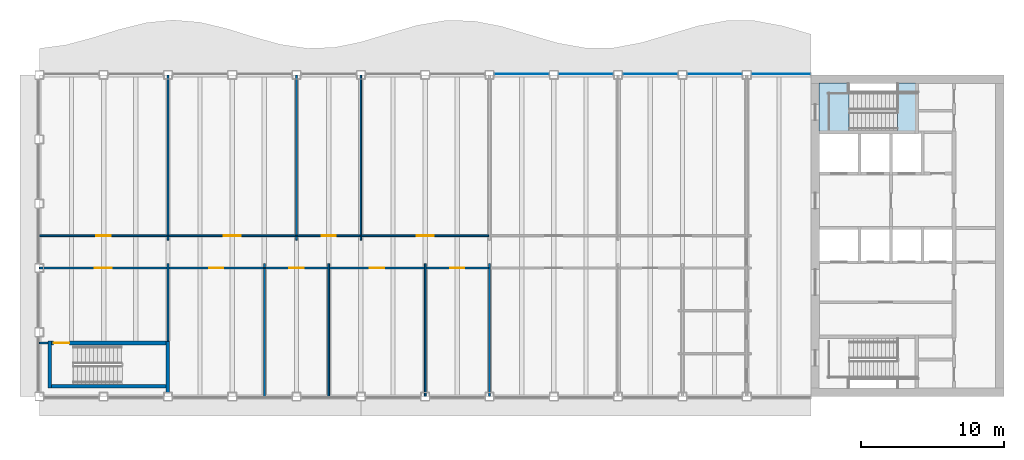
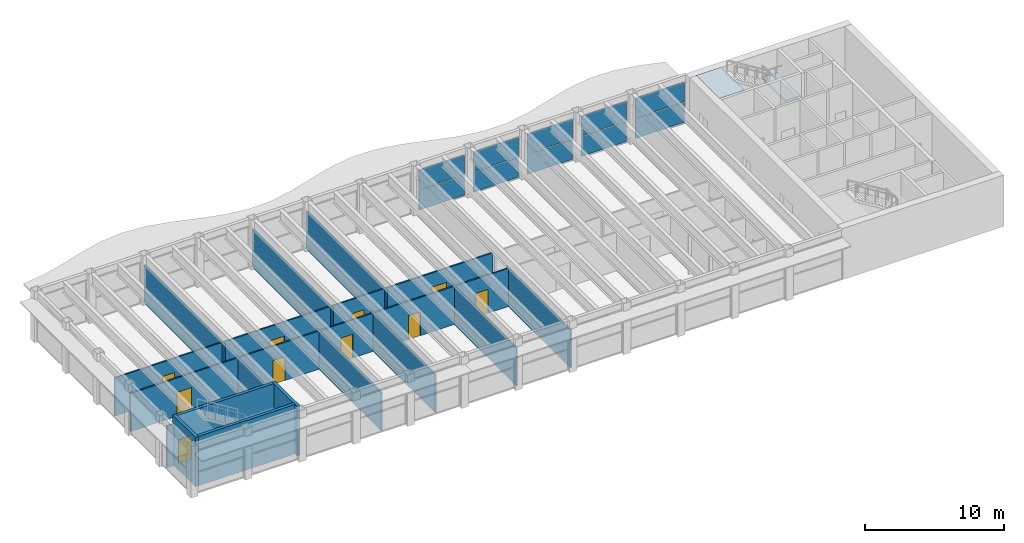
# One storey, part 8 of 14: 22 walls, 10 doors, 10 plates, 2 slabs, 10 openings, 6 elements without a shape of their own.
"""IFC4 building model written with IfcOpenShell, lengths in metres."""

from ifc_helpers import new_model, si_unit, direction, frame, frame_2d, origin, origin_2d, place, context, subcontext, project, spatial, polyline, rectangle, outline, extrude, material, layer, layer_set, type_object, element, fill, aggregate, save


model = new_model("IFC4")

# Units and contexts
model_context = context("Model", 3, precision=1e-05, world=origin(), true_north=direction((0.0, 1.0)))
body_context = subcontext(model_context, "Body", "Model", "MODEL_VIEW")
ifc_project = project(units=[si_unit("LENGTHUNIT", "METRE"), si_unit("AREAUNIT", "SQUARE_METRE"), si_unit("VOLUMEUNIT", "CUBIC_METRE"), si_unit("PLANEANGLEUNIT", "RADIAN"), si_unit("MASSUNIT", "GRAM", prefix="KILO")], contexts=[model_context])

# Site, building, storey
site_placement = place(None, origin())
site = spatial("IfcSite", under=ifc_project, at=site_placement, CompositionType="ELEMENT")
building_placement = place(site_placement, origin())
building = spatial("IfcBuilding", under=site, at=building_placement, Name="Sennacour Bend Tower", CompositionType="ELEMENT")
storey_placement = place(building_placement, frame((0.0, 0.0, 327.5)))
storey = spatial("IfcBuildingStorey", under=building, at=storey_placement, Name="L75", CompositionType="ELEMENT", Elevation=327.5)

# Curtain wall, plates
ifc_material_1 = material(Name="Bronze anodised aluminium curtain wall with clear glass", Category="aluminium")
curtain_wall_type = type_object("IfcCurtainWallType", Name="CURTAIN WALL EXEC", PredefinedType="NOTDEFINED", material=ifc_material_1)
curtain_wall_1_placement = place(storey_placement, origin())
curtain_wall_1 = element("IfcCurtainWall", 1, at=curtain_wall_1_placement, inside=storey, type_object=curtain_wall_type, Name="Executive floor glass wall L75", PredefinedType="NOTDEFINED")
ifc_material_2 = material(Name="Clear low-emissivity glass", Category="glass")
ifc_layer_1 = layer(ifc_material_2, 0.031982421875, Name="Clear low-emissivity glass", Category="glass")
ifc_layer_set_1 = layer_set([ifc_layer_1], Name="Clear low-emissivity glass")
plate_type = type_object("IfcPlateType", Name="PNL-GLASS-IGU32", PredefinedType="CURTAIN_PANEL", material=ifc_layer_set_1)
plate_1_placement = place(storey_placement, frame((51.89990234375, 22.574951171875, 0.06005859375), z_axis=(0.0, 0.0, 1.0), x_axis=(-1.0, 0.0, 0.0)))
plate_1 = element("IfcPlate", 2, at=plate_1_placement, type_object=plate_type, Name="GW3 curtain wall panel 1.1", PredefinedType="CURTAIN_PANEL", context=body_context, shape_type="SweptSolid", body=[
    extrude(rectangle(XDim=4.080078125, YDim=0.031982421875, at=origin_2d()), origin(), (0.0, 0.0, 1.0), 1.74609375),
])
plate_2_placement = place(storey_placement, frame((51.89990234375, 22.574951171875, 1.865966796875), z_axis=(0.0, 0.0, 1.0), x_axis=(-1.0, 0.0, 0.0)))
plate_2 = element("IfcPlate", 3, at=plate_2_placement, type_object=plate_type, Name="GW3 curtain wall panel 1.2", PredefinedType="CURTAIN_PANEL", context=body_context, shape_type="SweptSolid", body=[
    extrude(rectangle(XDim=4.080078125, YDim=0.031982421875, at=origin_2d()), origin(), (0.0, 0.0, 1.0), 1.74609375),
])
aggregate(curtain_wall_1, [plate_1, plate_2])

curtain_wall_2_placement = place(storey_placement, origin())
curtain_wall_2 = element("IfcCurtainWall", 4, at=curtain_wall_2_placement, inside=storey, type_object=curtain_wall_type, Name="Executive floor glass wall L75", PredefinedType="NOTDEFINED")
plate_3_placement = place(storey_placement, frame((47.25, 22.574951171875, 0.06005859375), z_axis=(0.0, 0.0, 1.0), x_axis=(-1.0, 0.0, 0.0)))
plate_3 = element("IfcPlate", 5, at=plate_3_placement, type_object=plate_type, Name="GW3 curtain wall panel 1.1", PredefinedType="CURTAIN_PANEL", context=body_context, shape_type="SweptSolid", body=[
    extrude(rectangle(XDim=3.780029296875, YDim=0.031982421875, at=origin_2d()), origin(), (0.0, 0.0, 1.0), 1.74609375),
])
plate_4_placement = place(storey_placement, frame((47.25, 22.574951171875, 1.865966796875), z_axis=(0.0, 0.0, 1.0), x_axis=(-1.0, 0.0, 0.0)))
plate_4 = element("IfcPlate", 6, at=plate_4_placement, type_object=plate_type, Name="GW3 curtain wall panel 1.2", PredefinedType="CURTAIN_PANEL", context=body_context, shape_type="SweptSolid", body=[
    extrude(rectangle(XDim=3.780029296875, YDim=0.031982421875, at=origin_2d()), origin(), (0.0, 0.0, 1.0), 1.74609375),
])
aggregate(curtain_wall_2, [plate_3, plate_4])

curtain_wall_3_placement = place(storey_placement, origin())
curtain_wall_3 = element("IfcCurtainWall", 7, at=curtain_wall_3_placement, inside=storey, type_object=curtain_wall_type, Name="Executive floor glass wall L75", PredefinedType="NOTDEFINED")
plate_5_placement = place(storey_placement, frame((42.75, 22.574951171875, 0.06005859375), z_axis=(0.0, 0.0, 1.0), x_axis=(-1.0, 0.0, 0.0)))
plate_5 = element("IfcPlate", 8, at=plate_5_placement, type_object=plate_type, Name="GW3 curtain wall panel 1.1", PredefinedType="CURTAIN_PANEL", context=body_context, shape_type="SweptSolid", body=[
    extrude(rectangle(XDim=3.780029296875, YDim=0.031982421875, at=origin_2d()), origin(), (0.0, 0.0, 1.0), 1.74609375),
])
plate_6_placement = place(storey_placement, frame((42.75, 22.574951171875, 1.865966796875), z_axis=(0.0, 0.0, 1.0), x_axis=(-1.0, 0.0, 0.0)))
plate_6 = element("IfcPlate", 9, at=plate_6_placement, type_object=plate_type, Name="GW3 curtain wall panel 1.2", PredefinedType="CURTAIN_PANEL", context=body_context, shape_type="SweptSolid", body=[
    extrude(rectangle(XDim=3.780029296875, YDim=0.031982421875, at=origin_2d()), origin(), (0.0, 0.0, 1.0), 1.74609375),
])
aggregate(curtain_wall_3, [plate_5, plate_6])

curtain_wall_4_placement = place(storey_placement, origin())
curtain_wall_4 = element("IfcCurtainWall", 10, at=curtain_wall_4_placement, inside=storey, type_object=curtain_wall_type, Name="Executive floor glass wall L75", PredefinedType="NOTDEFINED")
plate_7_placement = place(storey_placement, frame((38.25, 22.574951171875, 0.06005859375), z_axis=(0.0, 0.0, 1.0), x_axis=(-1.0, 0.0, 0.0)))
plate_7 = element("IfcPlate", 11, at=plate_7_placement, type_object=plate_type, Name="GW3 curtain wall panel 1.1", PredefinedType="CURTAIN_PANEL", context=body_context, shape_type="SweptSolid", body=[
    extrude(rectangle(XDim=3.780029296875, YDim=0.031982421875, at=origin_2d()), origin(), (0.0, 0.0, 1.0), 1.74609375),
])
plate_8_placement = place(storey_placement, frame((38.25, 22.574951171875, 1.865966796875), z_axis=(0.0, 0.0, 1.0), x_axis=(-1.0, 0.0, 0.0)))
plate_8 = element("IfcPlate", 12, at=plate_8_placement, type_object=plate_type, Name="GW3 curtain wall panel 1.2", PredefinedType="CURTAIN_PANEL", context=body_context, shape_type="SweptSolid", body=[
    extrude(rectangle(XDim=3.780029296875, YDim=0.031982421875, at=origin_2d()), origin(), (0.0, 0.0, 1.0), 1.74609375),
])
aggregate(curtain_wall_4, [plate_7, plate_8])

curtain_wall_5_placement = place(storey_placement, origin())
curtain_wall_5 = element("IfcCurtainWall", 13, at=curtain_wall_5_placement, inside=storey, type_object=curtain_wall_type, Name="Executive floor glass wall L75", PredefinedType="NOTDEFINED")
plate_9_placement = place(storey_placement, frame((33.75, 22.574951171875, 0.06005859375), z_axis=(0.0, 0.0, 1.0), x_axis=(-1.0, 0.0, 0.0)))
plate_9 = element("IfcPlate", 14, at=plate_9_placement, type_object=plate_type, Name="GW3 curtain wall panel 1.1", PredefinedType="CURTAIN_PANEL", context=body_context, shape_type="SweptSolid", body=[
    extrude(rectangle(XDim=3.780029296875, YDim=0.031982421875, at=origin_2d()), origin(), (0.0, 0.0, 1.0), 1.74609375),
])
plate_10_placement = place(storey_placement, frame((33.75, 22.574951171875, 1.865966796875), z_axis=(0.0, 0.0, 1.0), x_axis=(-1.0, 0.0, 0.0)))
plate_10 = element("IfcPlate", 15, at=plate_10_placement, type_object=plate_type, Name="GW3 curtain wall panel 1.2", PredefinedType="CURTAIN_PANEL", context=body_context, shape_type="SweptSolid", body=[
    extrude(rectangle(XDim=3.780029296875, YDim=0.031982421875, at=origin_2d()), origin(), (0.0, 0.0, 1.0), 1.74609375),
])
aggregate(curtain_wall_5, [plate_9, plate_10])

# Slab
ifc_material_3 = material(Name="Concrete C40/50", Category="concrete")
ifc_layer_2 = layer(ifc_material_3, 0.034912109375, Name="Concrete C40/50", Category="concrete")
ifc_layer_set_2 = layer_set([ifc_layer_2], Name="Concrete C40/50")
slab_type_1 = type_object("IfcSlabType", Name="Stair arrival nib 35", PredefinedType="FLOOR", material=ifc_layer_set_2)
slab_1_placement = place(storey_placement, frame((0.0, 0.0, 4.315185546875)))
element("IfcSlab", 16, at=slab_1_placement, inside=storey, type_object=slab_type_1, Name="L75 SA2 stair arrival nib", PredefinedType="FLOOR", context=body_context, shape_type="SweptSolid", body=[
    extrude(outline(polyline([(56.64208984375, 21.949951171875), (54.550048828125, 21.949951171875), (54.550048828125, 18.574951171875), (56.64208984375, 18.574951171875), (56.64208984375, 21.949951171875)])), origin(), (0.0, 0.0, 1.0), 0.034912109375),
])

# Stair, slab
stair_type = type_object("IfcStairType", Name="ST-DOGLEG", PredefinedType="HALF_TURN_STAIR", material=ifc_material_3)
stair_placement = place(storey_placement, origin())
stair = element("IfcStair", 17, at=stair_placement, inside=storey, type_object=stair_type, Name="L75 Exit stair A2", PredefinedType="HALF_TURN_STAIR")
ifc_layer_3 = layer(ifc_material_3, 0.199951171875, Name="Concrete C40/50", Category="concrete")
ifc_layer_set_3 = layer_set([ifc_layer_3], Name="Concrete C40/50")
slab_type_2 = type_object("IfcSlabType", Name="Stair landing 200", PredefinedType="LANDING", material=ifc_layer_set_3)
slab_2_placement = place(storey_placement, frame((0.0, 0.0, 2.050048828125)))
slab_2 = element("IfcSlab", 18, at=slab_2_placement, type_object=slab_type_2, Name="SA2 landing 1", PredefinedType="LANDING", context=body_context, shape_type="SweptSolid", body=[
    extrude(outline(polyline([(60.06005859375, 18.574951171875), (61.324951171875, 18.574951171875), (61.324951171875, 21.949951171875), (60.06005859375, 21.949951171875), (60.06005859375, 18.574951171875)])), origin(), (0.0, 0.0, 1.0), 0.199951171875),
])
aggregate(stair, [slab_2])

# Walls
ifc_material_4 = material(Name="Plasterboard partition on steel studs", Category="steel")
ifc_layer_4 = layer(ifc_material_4, 0.1201171875, Name="Plasterboard partition on steel studs", Category="steel")
ifc_layer_set_4 = layer_set([ifc_layer_4], Name="Plasterboard partition on steel studs")
wall_type_1 = type_object("IfcWallType", Name="Partition 120", PredefinedType="PARTITIONING", material=ifc_layer_set_4)
wall_1_placement = place(storey_placement, frame((9.0, 3.875, 0.0), z_axis=(0.0, 0.0, 1.0), x_axis=(0.0, 1.0, 0.0)))
element("IfcWall", 19, at=wall_1_placement, inside=storey, type_object=wall_type_1, Name="P-L75-W005a", PredefinedType="PARTITIONING", context=body_context, shape_type="SweptSolid", body=[
    extrude(rectangle(XDim=5.425048828125, YDim=0.1201171875, at=frame_2d((2.71240234375, 0.0))), origin(), (0.0, 0.0, 1.0), 3.35888671875),
])
wall_2_placement = place(storey_placement, frame((9.0, 10.949951171875, 0.0), z_axis=(0.0, 0.0, 1.0), x_axis=(0.0, 1.0, 0.0)))
element("IfcWall", 20, at=wall_2_placement, inside=storey, type_object=wall_type_1, Name="P-L75-W006a", PredefinedType="PARTITIONING", context=body_context, shape_type="SweptSolid", body=[
    extrude(rectangle(XDim=11.5400390625, YDim=0.1201171875, at=frame_2d((5.77001953125, 0.0))), origin(), (0.0, 0.0, 1.0), 3.35888671875),
])
wall_3_placement = place(storey_placement, frame((15.75, 0.010009765625, 0.0), z_axis=(0.0, 0.0, 1.0), x_axis=(0.0, 1.0, 0.0)))
element("IfcWall", 21, at=wall_3_placement, inside=storey, type_object=wall_type_1, Name="P-L75-W007a", PredefinedType="PARTITIONING", context=body_context, shape_type="SweptSolid", body=[
    extrude(rectangle(XDim=9.2900390625, YDim=0.1201171875, at=frame_2d((4.64501953125, 0.0))), origin(), (0.0, 0.0, 1.0), 3.35888671875),
])
wall_4_placement = place(storey_placement, frame((18.0, 10.949951171875, 0.0), z_axis=(0.0, 0.0, 1.0), x_axis=(0.0, 1.0, 0.0)))
element("IfcWall", 22, at=wall_4_placement, inside=storey, type_object=wall_type_1, Name="P-L75-W008a", PredefinedType="PARTITIONING", context=body_context, shape_type="SweptSolid", body=[
    extrude(rectangle(XDim=11.5400390625, YDim=0.1201171875, at=frame_2d((5.77001953125, 0.0))), origin(), (0.0, 0.0, 1.0), 3.35888671875),
])
wall_5_placement = place(storey_placement, frame((20.25, 0.010009765625, 0.0), z_axis=(0.0, 0.0, 1.0), x_axis=(0.0, 1.0, 0.0)))
element("IfcWall", 23, at=wall_5_placement, inside=storey, type_object=wall_type_1, Name="P-L75-W009a", PredefinedType="PARTITIONING", context=body_context, shape_type="SweptSolid", body=[
    extrude(rectangle(XDim=9.2900390625, YDim=0.1201171875, at=frame_2d((4.64501953125, 0.0))), origin(), (0.0, 0.0, 1.0), 3.35888671875),
])
wall_6_placement = place(storey_placement, frame((22.5, 10.949951171875, 0.0), z_axis=(0.0, 0.0, 1.0), x_axis=(0.0, 1.0, 0.0)))
element("IfcWall", 24, at=wall_6_placement, inside=storey, type_object=wall_type_1, Name="P-L75-W010a", PredefinedType="PARTITIONING", context=body_context, shape_type="SweptSolid", body=[
    extrude(rectangle(XDim=11.5400390625, YDim=0.1201171875, at=frame_2d((5.77001953125, 0.0))), origin(), (0.0, 0.0, 1.0), 3.35888671875),
])
for number, where, z_axis, x_axis, name in (
    (25, (27.0, 0.010009765625, 0.0), (0.0, 0.0, 1.0), (0.0, 1.0, 0.0), "P-L75-W011a"),
    (26, (31.5, 0.010009765625, 0.0), (0.0, 0.0, 1.0), (0.0, 1.0, 0.0), "P-L75-W012a"),
):
    element("IfcWall", number, at=place(storey_placement, frame(where, z_axis=z_axis, x_axis=x_axis)), inside=storey, type_object=wall_type_1, Name=name, PredefinedType="PARTITIONING", context=body_context, shape_type="SweptSolid", body=[
        extrude(rectangle(XDim=9.2900390625, YDim=0.1201171875, at=frame_2d((4.64501953125, 0.0))), origin(), (0.0, 0.0, 1.0), 3.35888671875),
    ])
wall_7_placement = place(storey_placement, frame((0.010009765625, 3.75, 0.0), z_axis=(0.0, 0.0, 1.0), x_axis=(1.0, 0.0, 0.0)))
element("IfcWall", 27, at=wall_7_placement, inside=storey, type_object=wall_type_1, Name="P-L75-W034a", PredefinedType="PARTITIONING", context=body_context, shape_type="SweptSolid", body=[
    extrude(rectangle(XDim=0.590087890625, YDim=0.1201171875, at=frame_2d((0.294921875, 0.0))), origin(), (0.0, 0.0, 1.0), 3.672119140625),
])

# Wall, opening, door
wall_8_placement = place(storey_placement, frame((9.06005859375, 9.0, 0.0), z_axis=(0.0, 0.0, 1.0), x_axis=(1.0, 0.0, 0.0)))
wall_8 = element("IfcWall", 28, at=wall_8_placement, inside=storey, type_object=wall_type_1, Name="P-L75-W040ab", PredefinedType="PARTITIONING", context=body_context, shape_type="SweptSolid", body=[
    extrude(rectangle(XDim=6.6298828125, YDim=0.1201171875, at=frame_2d((3.31494140625, 0.0))), origin(), (0.0, 0.0, 1.0), 3.35888671875),
])
opening_1_placement = place(wall_8_placement, frame((2.81494140625, 0.0, 0.0)))
opening_1 = element("IfcOpeningElement", 29, at=opening_1_placement, cuts=wall_8, Name="Opening OD2", PredefinedType="OPENING", context=body_context, shape_type="SweptSolid", body=[
    extrude(rectangle(XDim=1.0, YDim=2.10009765625, at=frame_2d((0.5, 1.050048828125))), frame((0.0, 0.070068359375, 0.0), z_axis=(0.0, -1.0, 0.0), x_axis=(1.0, 0.0, 0.0)), (0.0, 0.0, 1.0), 0.14013671875),
])
ifc_material_5 = material(Name="Timber", Category="wood")
door_type_1 = type_object("IfcDoorType", Name="DR-OFFICE-1000", OperationType="NOTDEFINED", PredefinedType="DOOR", material=ifc_material_5)
door_1_placement = place(opening_1_placement, origin())
door_1 = element("IfcDoor", 30, at=door_1_placement, inside=storey, type_object=door_type_1, Name="Door", OperationType="SINGLE_SWING_LEFT", OverallHeight=2.10009765625, OverallWidth=1.0, PredefinedType="DOOR", context=body_context, shape_type="SweptSolid", body=[
    extrude(rectangle(XDim=1.0, YDim=2.10009765625, at=frame_2d((0.5, 1.050048828125))), frame((0.0, 0.02490234375, 0.0), z_axis=(0.0, -1.0, 0.0), x_axis=(1.0, 0.0, 0.0)), (0.0, 0.0, 1.0), 0.050048828125),
])
fill(opening_1, door_1)

wall_9_placement = place(storey_placement, frame((15.81005859375, 9.0, 0.0), z_axis=(0.0, 0.0, 1.0), x_axis=(1.0, 0.0, 0.0)))
wall_9 = element("IfcWall", 31, at=wall_9_placement, inside=storey, type_object=wall_type_1, Name="P-L75-W040ac", PredefinedType="PARTITIONING", context=body_context, shape_type="SweptSolid", body=[
    extrude(rectangle(XDim=4.3798828125, YDim=0.1201171875, at=frame_2d((2.18994140625, 0.0))), origin(), (0.0, 0.0, 1.0), 3.35888671875),
])
opening_2_placement = place(wall_9_placement, frame((1.68994140625, 0.0, 0.0)))
opening_2 = element("IfcOpeningElement", 32, at=opening_2_placement, cuts=wall_9, Name="Opening OD2", PredefinedType="OPENING", context=body_context, shape_type="SweptSolid", body=[
    extrude(rectangle(XDim=1.0, YDim=2.10009765625, at=frame_2d((0.5, 1.050048828125))), frame((0.0, 0.070068359375, 0.0), z_axis=(0.0, -1.0, 0.0), x_axis=(1.0, 0.0, 0.0)), (0.0, 0.0, 1.0), 0.14013671875),
])
door_2_placement = place(opening_2_placement, origin())
door_2 = element("IfcDoor", 33, at=door_2_placement, inside=storey, type_object=door_type_1, Name="Door", OperationType="SINGLE_SWING_LEFT", OverallHeight=2.10009765625, OverallWidth=1.0, PredefinedType="DOOR", context=body_context, shape_type="SweptSolid", body=[
    extrude(rectangle(XDim=1.0, YDim=2.10009765625, at=frame_2d((0.5, 1.050048828125))), frame((0.0, 0.02490234375, 0.0), z_axis=(0.0, -1.0, 0.0), x_axis=(1.0, 0.0, 0.0)), (0.0, 0.0, 1.0), 0.050048828125),
])
fill(opening_2, door_2)

wall_10_placement = place(storey_placement, frame((20.31005859375, 9.0, 0.0), z_axis=(0.0, 0.0, 1.0), x_axis=(1.0, 0.0, 0.0)))
wall_10 = element("IfcWall", 34, at=wall_10_placement, inside=storey, type_object=wall_type_1, Name="P-L75-W040ad", PredefinedType="PARTITIONING", context=body_context, shape_type="SweptSolid", body=[
    extrude(rectangle(XDim=6.6298828125, YDim=0.1201171875, at=frame_2d((3.31494140625, 0.0))), origin(), (0.0, 0.0, 1.0), 3.35888671875),
])
opening_3_placement = place(wall_10_placement, frame((2.81494140625, 0.0, 0.0)))
opening_3 = element("IfcOpeningElement", 35, at=opening_3_placement, cuts=wall_10, Name="Opening OD2", PredefinedType="OPENING", context=body_context, shape_type="SweptSolid", body=[
    extrude(rectangle(XDim=1.0, YDim=2.10009765625, at=frame_2d((0.5, 1.050048828125))), frame((0.0, 0.070068359375, 0.0), z_axis=(0.0, -1.0, 0.0), x_axis=(1.0, 0.0, 0.0)), (0.0, 0.0, 1.0), 0.14013671875),
])
door_3_placement = place(opening_3_placement, origin())
door_3 = element("IfcDoor", 36, at=door_3_placement, inside=storey, type_object=door_type_1, Name="Door", OperationType="SINGLE_SWING_LEFT", OverallHeight=2.10009765625, OverallWidth=1.0, PredefinedType="DOOR", context=body_context, shape_type="SweptSolid", body=[
    extrude(rectangle(XDim=1.0, YDim=2.10009765625, at=frame_2d((0.5, 1.050048828125))), frame((0.0, 0.02490234375, 0.0), z_axis=(0.0, -1.0, 0.0), x_axis=(1.0, 0.0, 0.0)), (0.0, 0.0, 1.0), 0.050048828125),
])
fill(opening_3, door_3)

wall_11_placement = place(storey_placement, frame((27.06005859375, 9.0, 0.0), z_axis=(0.0, 0.0, 1.0), x_axis=(1.0, 0.0, 0.0)))
wall_11 = element("IfcWall", 37, at=wall_11_placement, inside=storey, type_object=wall_type_1, Name="P-L75-W040ae", PredefinedType="PARTITIONING", context=body_context, shape_type="SweptSolid", body=[
    extrude(rectangle(XDim=4.3798828125, YDim=0.1201171875, at=frame_2d((2.18994140625, 0.0))), origin(), (0.0, 0.0, 1.0), 3.35888671875),
])
opening_4_placement = place(wall_11_placement, frame((1.68994140625, 0.0, 0.0)))
opening_4 = element("IfcOpeningElement", 38, at=opening_4_placement, cuts=wall_11, Name="Opening OD2", PredefinedType="OPENING", context=body_context, shape_type="SweptSolid", body=[
    extrude(rectangle(XDim=1.0, YDim=2.10009765625, at=frame_2d((0.5, 1.050048828125))), frame((0.0, 0.070068359375, 0.0), z_axis=(0.0, -1.0, 0.0), x_axis=(1.0, 0.0, 0.0)), (0.0, 0.0, 1.0), 0.14013671875),
])
door_4_placement = place(opening_4_placement, origin())
door_4 = element("IfcDoor", 39, at=door_4_placement, inside=storey, type_object=door_type_1, Name="Door", OperationType="SINGLE_SWING_LEFT", OverallHeight=2.10009765625, OverallWidth=1.0, PredefinedType="DOOR", context=body_context, shape_type="SweptSolid", body=[
    extrude(rectangle(XDim=1.0, YDim=2.10009765625, at=frame_2d((0.5, 1.050048828125))), frame((0.0, 0.02490234375, 0.0), z_axis=(0.0, -1.0, 0.0), x_axis=(1.0, 0.0, 0.0)), (0.0, 0.0, 1.0), 0.050048828125),
])
fill(opening_4, door_4)

wall_12_placement = place(storey_placement, frame((0.010009765625, 11.25, 0.0), z_axis=(0.0, 0.0, 1.0), x_axis=(1.0, 0.0, 0.0)))
wall_12 = element("IfcWall", 40, at=wall_12_placement, inside=storey, type_object=wall_type_1, Name="P-L75-W043aa", PredefinedType="PARTITIONING", context=body_context, shape_type="SweptSolid", body=[
    extrude(rectangle(XDim=8.929931640625, YDim=0.1201171875, at=frame_2d((4.46484375, 0.0))), origin(), (0.0, 0.0, 1.0), 3.35888671875),
])
opening_5_placement = place(wall_12_placement, frame((3.97509765625, 0.0, 0.0)))
opening_5 = element("IfcOpeningElement", 41, at=opening_5_placement, cuts=wall_12, Name="Opening OD2", PredefinedType="OPENING", context=body_context, shape_type="SweptSolid", body=[
    extrude(rectangle(XDim=1.0, YDim=2.10009765625, at=frame_2d((0.5, 1.050048828125))), frame((0.0, 0.070068359375, 0.0), z_axis=(0.0, -1.0, 0.0), x_axis=(1.0, 0.0, 0.0)), (0.0, 0.0, 1.0), 0.14013671875),
])
door_5_placement = place(opening_5_placement, origin())
door_5 = element("IfcDoor", 42, at=door_5_placement, inside=storey, type_object=door_type_1, Name="Door", OperationType="SINGLE_SWING_RIGHT", OverallHeight=2.10009765625, OverallWidth=1.0, PredefinedType="DOOR", context=body_context, shape_type="SweptSolid", body=[
    extrude(rectangle(XDim=1.0, YDim=2.10009765625, at=frame_2d((0.5, 1.050048828125))), frame((0.0, 0.02490234375, 0.0), z_axis=(0.0, -1.0, 0.0), x_axis=(1.0, 0.0, 0.0)), (0.0, 0.0, 1.0), 0.050048828125),
])
fill(opening_5, door_5)

wall_13_placement = place(storey_placement, frame((9.06005859375, 11.25, 0.0), z_axis=(0.0, 0.0, 1.0), x_axis=(1.0, 0.0, 0.0)))
wall_13 = element("IfcWall", 43, at=wall_13_placement, inside=storey, type_object=wall_type_1, Name="P-L75-W043ab", PredefinedType="PARTITIONING", context=body_context, shape_type="SweptSolid", body=[
    extrude(rectangle(XDim=8.8798828125, YDim=0.1201171875, at=frame_2d((4.43994140625, 0.0))), origin(), (0.0, 0.0, 1.0), 3.35888671875),
])
opening_6_placement = place(wall_13_placement, frame((3.83984375, 0.0, 0.0)))
opening_6 = element("IfcOpeningElement", 44, at=opening_6_placement, cuts=wall_13, Name="Opening OD", PredefinedType="OPENING", context=body_context, shape_type="SweptSolid", body=[
    extrude(rectangle(XDim=1.199951171875, YDim=2.10009765625, at=frame_2d((0.60009765625, 1.050048828125))), frame((0.0, 0.070068359375, 0.0), z_axis=(0.0, -1.0, 0.0), x_axis=(1.0, 0.0, 0.0)), (0.0, 0.0, 1.0), 0.14013671875),
])
door_type_2 = type_object("IfcDoorType", Name="DR-OFFICE-1200", OperationType="NOTDEFINED", PredefinedType="DOOR", material=ifc_material_5)
door_6_placement = place(opening_6_placement, origin())
door_6 = element("IfcDoor", 45, at=door_6_placement, inside=storey, type_object=door_type_2, Name="Door", OperationType="SINGLE_SWING_LEFT", OverallHeight=2.10009765625, OverallWidth=1.199951171875, PredefinedType="DOOR", context=body_context, shape_type="SweptSolid", body=[
    extrude(rectangle(XDim=1.199951171875, YDim=2.10009765625, at=frame_2d((0.60009765625, 1.050048828125))), frame((0.0, 0.02490234375, 0.0), z_axis=(0.0, -1.0, 0.0), x_axis=(1.0, 0.0, 0.0)), (0.0, 0.0, 1.0), 0.050048828125),
])
fill(opening_6, door_6)

wall_14_placement = place(storey_placement, frame((18.06005859375, 11.25, 0.0), z_axis=(0.0, 0.0, 1.0), x_axis=(1.0, 0.0, 0.0)))
wall_14 = element("IfcWall", 46, at=wall_14_placement, inside=storey, type_object=wall_type_1, Name="P-L75-W043ac", PredefinedType="PARTITIONING", context=body_context, shape_type="SweptSolid", body=[
    extrude(rectangle(XDim=4.3798828125, YDim=0.1201171875, at=frame_2d((2.18994140625, 0.0))), origin(), (0.0, 0.0, 1.0), 3.35888671875),
])
opening_7_placement = place(wall_14_placement, frame((1.68994140625, 0.0, 0.0)))
opening_7 = element("IfcOpeningElement", 47, at=opening_7_placement, cuts=wall_14, Name="Opening OD2", PredefinedType="OPENING", context=body_context, shape_type="SweptSolid", body=[
    extrude(rectangle(XDim=1.0, YDim=2.10009765625, at=frame_2d((0.5, 1.050048828125))), frame((0.0, 0.070068359375, 0.0), z_axis=(0.0, -1.0, 0.0), x_axis=(1.0, 0.0, 0.0)), (0.0, 0.0, 1.0), 0.14013671875),
])
door_7_placement = place(opening_7_placement, origin())
door_7 = element("IfcDoor", 48, at=door_7_placement, inside=storey, type_object=door_type_1, Name="Door", OperationType="SINGLE_SWING_LEFT", OverallHeight=2.10009765625, OverallWidth=1.0, PredefinedType="DOOR", context=body_context, shape_type="SweptSolid", body=[
    extrude(rectangle(XDim=1.0, YDim=2.10009765625, at=frame_2d((0.5, 1.050048828125))), frame((0.0, 0.02490234375, 0.0), z_axis=(0.0, -1.0, 0.0), x_axis=(1.0, 0.0, 0.0)), (0.0, 0.0, 1.0), 0.050048828125),
])
fill(opening_7, door_7)

wall_15_placement = place(storey_placement, frame((22.56005859375, 11.25, 0.0), z_axis=(0.0, 0.0, 1.0), x_axis=(1.0, 0.0, 0.0)))
wall_15 = element("IfcWall", 49, at=wall_15_placement, inside=storey, type_object=wall_type_1, Name="P-L75-W043ad", PredefinedType="PARTITIONING", context=body_context, shape_type="SweptSolid", body=[
    extrude(rectangle(XDim=8.8798828125, YDim=0.1201171875, at=frame_2d((4.43994140625, 0.0))), origin(), (0.0, 0.0, 1.0), 3.35888671875),
])
opening_8_placement = place(wall_15_placement, frame((3.83984375, 0.0, 0.0)))
opening_8 = element("IfcOpeningElement", 50, at=opening_8_placement, cuts=wall_15, Name="Opening MD", PredefinedType="OPENING", context=body_context, shape_type="SweptSolid", body=[
    extrude(rectangle(XDim=1.199951171875, YDim=2.10009765625, at=frame_2d((0.60009765625, 1.050048828125))), frame((0.0, 0.070068359375, 0.0), z_axis=(0.0, -1.0, 0.0), x_axis=(1.0, 0.0, 0.0)), (0.0, 0.0, 1.0), 0.14013671875),
])
door_type_3 = type_object("IfcDoorType", Name="DR-MEETING-1200", OperationType="NOTDEFINED", PredefinedType="DOOR", material=ifc_material_5)
door_8_placement = place(opening_8_placement, origin())
door_8 = element("IfcDoor", 51, at=door_8_placement, inside=storey, type_object=door_type_3, Name="Door", OperationType="SINGLE_SWING_LEFT", OverallHeight=2.10009765625, OverallWidth=1.199951171875, PredefinedType="DOOR", context=body_context, shape_type="SweptSolid", body=[
    extrude(rectangle(XDim=1.199951171875, YDim=2.10009765625, at=frame_2d((0.60009765625, 1.050048828125))), frame((0.0, 0.02490234375, 0.0), z_axis=(0.0, -1.0, 0.0), x_axis=(1.0, 0.0, 0.0)), (0.0, 0.0, 1.0), 0.050048828125),
])
fill(opening_8, door_8)

ifc_layer_5 = layer(ifc_material_4, 0.1201171875, Name="Plasterboard partition on steel studs", Category="steel")
ifc_layer_set_5 = layer_set([ifc_layer_5], Name="Plasterboard partition on steel studs")
wall_type_2 = type_object("IfcWallType", Name="Partition 120 EI 30", PredefinedType="PARTITIONING", material=ifc_layer_set_5)
wall_16_placement = place(storey_placement, frame((0.010009765625, 9.0, 0.0), z_axis=(0.0, 0.0, 1.0), x_axis=(1.0, 0.0, 0.0)))
wall_16 = element("IfcWall", 52, at=wall_16_placement, inside=storey, type_object=wall_type_2, Name="P-L75-W040aa", PredefinedType="PARTITIONING", context=body_context, shape_type="SweptSolid", body=[
    extrude(rectangle(XDim=8.929931640625, YDim=0.1201171875, at=frame_2d((4.46484375, 0.0))), origin(), (0.0, 0.0, 1.0), 3.35888671875),
])
opening_9_placement = place(wall_16_placement, frame((3.875, 0.0, 0.0)))
opening_9 = element("IfcOpeningElement", 53, at=opening_9_placement, cuts=wall_16, Name="Opening KD2", PredefinedType="OPENING", context=body_context, shape_type="SweptSolid", body=[
    extrude(rectangle(XDim=1.199951171875, YDim=2.10009765625, at=frame_2d((0.60009765625, 1.050048828125))), frame((0.0, 0.070068359375, 0.0), z_axis=(0.0, -1.0, 0.0), x_axis=(1.0, 0.0, 0.0)), (0.0, 0.0, 1.0), 0.14013671875),
])
ifc_material_6 = material(Name="Painted steel", Category="steel")
door_type_4 = type_object("IfcDoorType", Name="DR-CORRIDOR-1200", OperationType="NOTDEFINED", PredefinedType="DOOR", material=ifc_material_6)
door_9_placement = place(opening_9_placement, origin())
door_9 = element("IfcDoor", 54, at=door_9_placement, inside=storey, type_object=door_type_4, Name="Door", OperationType="SINGLE_SWING_RIGHT", OverallHeight=2.10009765625, OverallWidth=1.199951171875, PredefinedType="DOOR", context=body_context, shape_type="SweptSolid", body=[
    extrude(rectangle(XDim=1.199951171875, YDim=2.10009765625, at=frame_2d((0.60009765625, 1.050048828125))), frame((0.0, 0.02490234375, 0.0), z_axis=(0.0, -1.0, 0.0), x_axis=(1.0, 0.0, 0.0)), (0.0, 0.0, 1.0), 0.050048828125),
])
fill(opening_9, door_9)

# Walls
ifc_material_7 = material(Name="Concrete C60/75", Category="concrete")
ifc_layer_6 = layer(ifc_material_7, 0.25, Name="Concrete C60/75", Category="concrete")
ifc_layer_set_6 = layer_set([ifc_layer_6], Name="Concrete C60/75")
wall_type_3 = type_object("IfcWallType", Name="Stair wall 250", PredefinedType="SHEAR", material=ifc_layer_set_6)
wall_17_placement = place(storey_placement, frame((0.72509765625, 0.60009765625, 0.0), z_axis=(0.0, 0.0, 1.0), x_axis=(0.0, 1.0, 0.0)))
element("IfcWall", 55, at=wall_17_placement, inside=storey, type_object=wall_type_3, Name="P-L75-W002", PredefinedType="SHEAR", context=body_context, shape_type="SweptSolid", body=[
    extrude(rectangle(XDim=3.27490234375, YDim=0.25, at=frame_2d((1.637451171875, 0.0))), origin(), (0.0, 0.0, 1.0), 4.35009765625),
])
wall_18_placement = place(storey_placement, frame((9.0, 0.300048828125, 0.0), z_axis=(0.0, 0.0, 1.0), x_axis=(0.0, 1.0, 0.0)))
element("IfcWall", 56, at=wall_18_placement, inside=storey, type_object=wall_type_3, Name="P-L75-W004", PredefinedType="SHEAR", context=body_context, shape_type="SweptSolid", body=[
    extrude(rectangle(XDim=3.574951171875, YDim=0.25, at=frame_2d((1.78759765625, 0.0))), origin(), (0.0, 0.0, 1.0), 4.35009765625),
])
wall_19_placement = place(storey_placement, frame((0.85009765625, 0.72509765625, 0.0), z_axis=(0.0, 0.0, 1.0), x_axis=(1.0, 0.0, 0.0)))
element("IfcWall", 57, at=wall_19_placement, inside=storey, type_object=wall_type_3, Name="P-L75-W031", PredefinedType="SHEAR", context=body_context, shape_type="SweptSolid", body=[
    extrude(rectangle(XDim=8.02490234375, YDim=0.25, at=frame_2d((4.012451171875, 0.0))), origin(), (0.0, 0.0, 1.0), 4.35009765625),
])

# Wall, opening, door
wall_20_placement = place(storey_placement, frame((0.85009765625, 3.75, 0.0), z_axis=(0.0, 0.0, 1.0), x_axis=(1.0, 0.0, 0.0)))
wall_20 = element("IfcWall", 58, at=wall_20_placement, inside=storey, type_object=wall_type_3, Name="P-L75-W035", PredefinedType="SHEAR", context=body_context, shape_type="SweptSolid", body=[
    extrude(rectangle(XDim=8.02490234375, YDim=0.25, at=frame_2d((4.012451171875, 0.0))), origin(), (0.0, 0.0, 1.0), 4.35009765625),
])
opening_10_placement = place(wall_20_placement, frame((0.14990234375, 0.0, 0.0)))
opening_10 = element("IfcOpeningElement", 59, at=opening_10_placement, cuts=wall_20, Name="Opening SD", PredefinedType="OPENING", context=body_context, shape_type="SweptSolid", body=[
    extrude(rectangle(XDim=1.10009765625, YDim=2.10009765625, at=frame_2d((0.550048828125, 1.050048828125))), frame((0.0, 0.135009765625, 0.0), z_axis=(0.0, -1.0, 0.0), x_axis=(1.0, 0.0, 0.0)), (0.0, 0.0, 1.0), 0.27001953125),
])
door_type_5 = type_object("IfcDoorType", Name="DR-STAIR-1100", OperationType="NOTDEFINED", PredefinedType="DOOR", material=ifc_material_6)
door_10_placement = place(opening_10_placement, origin())
door_10 = element("IfcDoor", 60, at=door_10_placement, inside=storey, type_object=door_type_5, Name="Door", OperationType="SINGLE_SWING_LEFT", OverallHeight=2.10009765625, OverallWidth=1.10009765625, PredefinedType="DOOR", context=body_context, shape_type="SweptSolid", body=[
    extrude(rectangle(XDim=1.10009765625, YDim=2.10009765625, at=frame_2d((0.550048828125, 1.050048828125))), frame((0.0, 0.02490234375, 0.0), z_axis=(0.0, -1.0, 0.0), x_axis=(1.0, 0.0, 0.0)), (0.0, 0.0, 1.0), 0.050048828125),
])
fill(opening_10, door_10)

save(model, "model.ifc")
